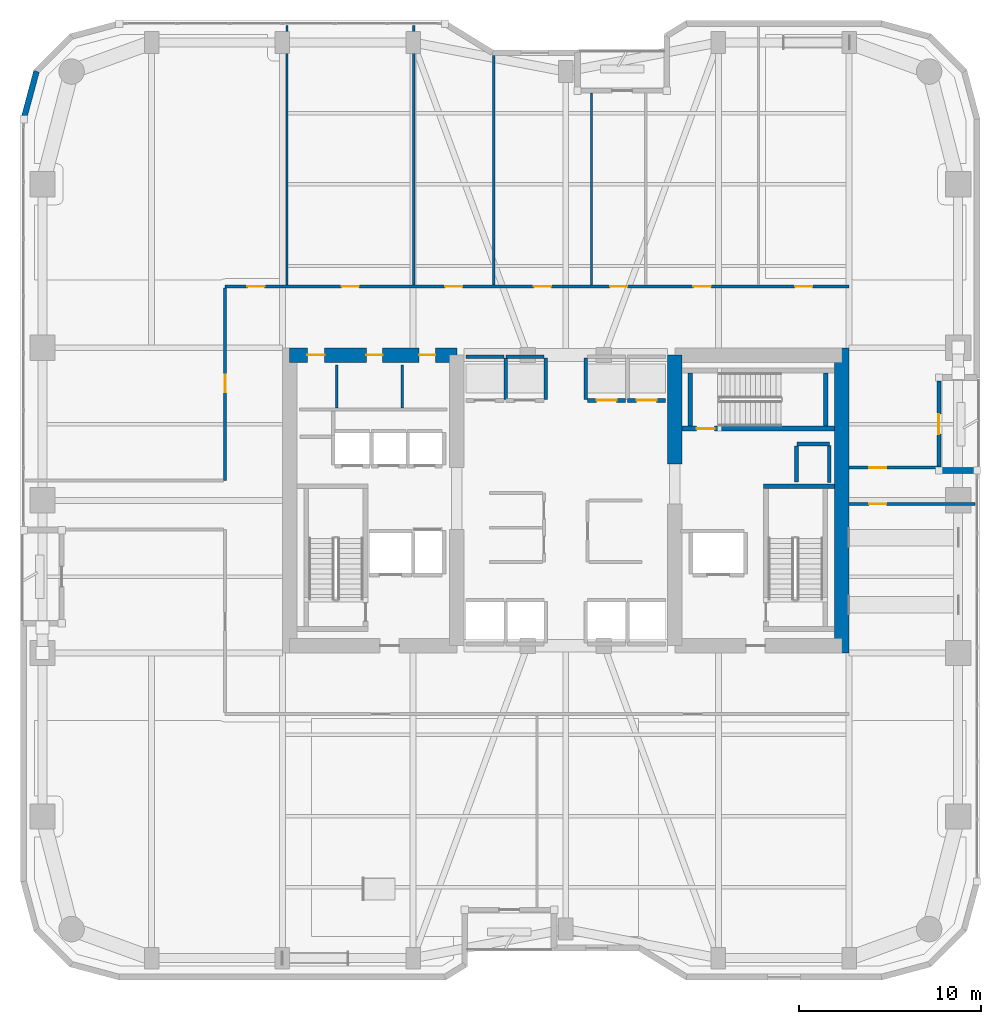
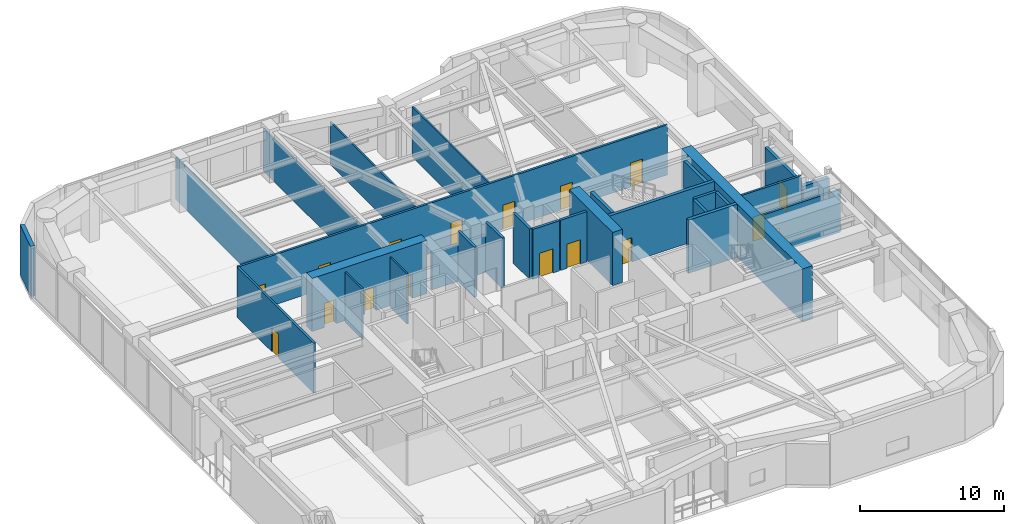
# One storey, part 16 of 23: 30 walls, 17 doors, 17 openings.
"""IFC4 building model written with IfcOpenShell, lengths in metres."""

import ifcopenshell
import ifcopenshell.guid

model = None  # the IFC model being written
_history = None  # IfcOwnerHistory: only IFC2X3 demands one
_inside = {}  # id of a spatial element -> (the spatial element, [elements in it])
_under = {}  # id of a project, library or spatial element -> (it, [spatial elements below it])
_declared = {}  # id of a project -> (the project, [libraries it declares])
_typed = {}  # id of a type object -> (the type object, [elements of that type])
_made_of = {}  # id of a material, layer set ... -> (it, [elements and type objects made of it])


def new_model(schema):
    """Start an empty IFC model of exactly this schema.

    Asked for "IFC4X3", IfcOpenShell would pick the latest addendum, in which some entities
    have other attributes; the version numbers below select the first issue.
    IFC2X3 requires an IfcOwnerHistory on every rooted entity: one is made here for all.
    """
    global model, _history
    if schema == "IFC4X3":
        model = ifcopenshell.file(schema_version=(4, 3, 0, 0))
    else:
        model = ifcopenshell.file(schema=schema)
    _inside.clear()
    _under.clear()
    _declared.clear()
    _typed.clear()
    _made_of.clear()
    _history = None
    if model.schema == "IFC2X3":
        org = make("IfcOrganization", Name="unknown")
        user = make(
            "IfcPersonAndOrganization",
            ThePerson=make("IfcPerson", FamilyName="unknown"),
            TheOrganization=org,
        )
        app = make(
            "IfcApplication",
            ApplicationDeveloper=org,
            Version="unknown",
            ApplicationFullName="unknown",
            ApplicationIdentifier="unknown",
        )
        _history = make(
            "IfcOwnerHistory",
            OwningUser=user,
            OwningApplication=app,
            ChangeAction="ADDED",
            CreationDate=0,
        )
    return model


def make(cls, **values):
    """One entity of the class cls with the attributes given. An attribute that is None is left unset."""
    return model.create_entity(
        cls, **{name: value for name, value in values.items() if value is not None}
    )


def rooted(cls, **values):
    """An entity with a GlobalId (a new one), such as an element, a storey or a relation."""
    return make(cls, GlobalId=ifcopenshell.guid.new(), OwnerHistory=_history, **values)


def si_unit(unit_type, name, prefix=None):
    """IfcSIUnit, for example si_unit("LENGTHUNIT", "METRE", prefix="MILLI")."""
    return make("IfcSIUnit", UnitType=unit_type, Prefix=prefix, Name=name)


def assignment(units):
    """IfcUnitAssignment: the units of a project."""
    return None if units is None else make("IfcUnitAssignment", Units=units)


def point(xyz):
    """IfcCartesianPoint."""
    return None if xyz is None else make("IfcCartesianPoint", Coordinates=xyz)


def direction(xyz):
    """IfcDirection."""
    return None if xyz is None else make("IfcDirection", DirectionRatios=xyz)


def frame(location, z_axis=None, x_axis=None):
    """IfcAxis2Placement3D, a coordinate frame: its origin and axes. An axis left out is left unset."""
    return make(
        "IfcAxis2Placement3D",
        Location=point(location),
        Axis=direction(z_axis),
        RefDirection=direction(x_axis),
    )


def frame_2d(location, x_axis=None):
    """IfcAxis2Placement2D, a coordinate frame in the plane: its origin and x axis."""
    return make(
        "IfcAxis2Placement2D", Location=point(location), RefDirection=direction(x_axis)
    )


def origin():
    """The frame at (0, 0, 0) with its axes left unset."""
    return frame((0.0, 0.0, 0.0))


def place(relative_to, where):
    """IfcLocalPlacement: puts the frame where relative to a parent placement (None: the world)."""
    return make(
        "IfcLocalPlacement", PlacementRelTo=relative_to, RelativePlacement=where
    )


def context(
    kind, dimensions, precision=None, world=None, true_north=None, identifier=None
):
    """IfcGeometricRepresentationContext, for example the 3D "Model" context."""
    return make(
        "IfcGeometricRepresentationContext",
        ContextIdentifier=identifier,
        ContextType=kind,
        CoordinateSpaceDimension=dimensions,
        Precision=precision,
        WorldCoordinateSystem=world,
        TrueNorth=true_north,
    )


def subcontext(parent, identifier, kind, view, scale=None):
    """IfcGeometricRepresentationSubContext, for example "Body" below "Model"."""
    return make(
        "IfcGeometricRepresentationSubContext",
        ContextIdentifier=identifier,
        ContextType=kind,
        ParentContext=parent,
        TargetScale=scale,
        TargetView=view,
    )


def project(units=None, contexts=None):
    """IfcProject with its units and contexts."""
    return rooted(
        "IfcProject",
        Name="project",
        RepresentationContexts=contexts,
        UnitsInContext=assignment(units),
    )


def spatial(cls, under=None, at=None, **own):
    """A site, building, storey or space (cls), placed at a placement, below another one or the project."""
    s = rooted(cls, ObjectPlacement=at, **own)
    if under is not None:
        _under.setdefault(under.id(), (under, []))[1].append(s)
    return s


def profile(cls, at=None, kind="AREA", **sizes):
    """A parametric profile (cls). Its sizes go by their IFC names, for example OverallWidth=200.0."""
    return make(cls, ProfileType=kind, Position=at, **sizes)


def rectangle(**sizes):
    """IfcRectangleProfileDef."""
    return profile("IfcRectangleProfileDef", **sizes)


def extrude(swept, where, along, depth):
    """IfcExtrudedAreaSolid: the profile swept, set in the frame where, extruded along a direction by depth."""
    return make(
        "IfcExtrudedAreaSolid",
        SweptArea=swept,
        Position=where,
        ExtrudedDirection=direction(along),
        Depth=depth,
    )


def shape(context_of_items, identifier, shape_type, items):
    """IfcShapeRepresentation: the items that make up one representation, for example the "Body"."""
    return make(
        "IfcShapeRepresentation",
        ContextOfItems=context_of_items,
        RepresentationIdentifier=identifier,
        RepresentationType=shape_type,
        Items=items,
    )


def material(Name=None, Category=None):
    """IfcMaterial."""
    return make("IfcMaterial", Name=Name, Category=Category)


def layer(
    of_material, thickness, ventilated=None, Name=None, Category=None, Priority=None
):
    """IfcMaterialLayer: one layer of a wall or slab, of a material (None: an air gap)."""
    return make(
        "IfcMaterialLayer",
        Material=of_material,
        LayerThickness=thickness,
        IsVentilated=ventilated,
        Name=Name,
        Category=Category,
        Priority=Priority,
    )


def layer_set(layers, Name=None):
    """IfcMaterialLayerSet."""
    return make("IfcMaterialLayerSet", MaterialLayers=layers, LayerSetName=Name)


def made_of(thing, what):
    """Note that an element or type object is made of a material, layer set ...; save() writes the relation."""
    if what is not None:
        _made_of.setdefault(what.id(), (what, []))[1].append(thing)
    return thing


def type_object(cls, material=None, **own):
    """A type object (cls), such as IfcWallType, which elements share."""
    return made_of(rooted(cls, **own), material)


def element(
    cls,
    number,
    at=None,
    inside=None,
    cuts=None,
    type_object=None,
    material=None,
    context=None,
    identifier="Body",
    shape_type=None,
    held_by="IfcProductDefinitionShape",
    body=None,
    shapes=None,
    **own,
):
    """One element of the class cls, such as IfcWall. Its Tag is "e" and its number.

    at: its placement. inside: the storey or other place that contains it. cuts: it is an
    opening in that element (IfcRelVoidsElement). A single representation is given by context,
    identifier, shape_type and body (its items); several are given by shapes. held_by: the class
    of the entity that holds the representations. save() writes the other relations.
    """
    e = rooted(cls, Tag="e%d" % number, ObjectPlacement=at, **own)
    if body is not None:
        shapes = [shape(context, identifier, shape_type, body)]
    if shapes is not None:
        e.Representation = make(held_by, Representations=shapes)
    if inside is not None:
        _inside.setdefault(inside.id(), (inside, []))[1].append(e)
    if cuts is not None:
        rooted(
            "IfcRelVoidsElement", RelatingBuildingElement=cuts, RelatedOpeningElement=e
        )
    if type_object is not None:
        _typed.setdefault(type_object.id(), (type_object, []))[1].append(e)
    return made_of(e, material)


def fill(opening, filler):
    """IfcRelFillsElement: the door or window that sits in an opening."""
    return rooted(
        "IfcRelFillsElement",
        RelatingOpeningElement=opening,
        RelatedBuildingElement=filler,
    )


def aggregate(whole, parts):
    """IfcRelAggregates: a whole, such as a stair, and the parts it consists of."""
    return rooted("IfcRelAggregates", RelatingObject=whole, RelatedObjects=parts)


def save(model, path):
    """Write the relations noted so far, then the file.

    IfcRelAggregates (storeys below a building ...), IfcRelContainedInSpatialStructure (elements
    in a storey), IfcRelDefinesByType, IfcRelAssociatesMaterial and IfcRelDeclares: one each for
    every whole, place, type object, material and project.
    """
    for whole, parts in _under.values():
        aggregate(whole, parts)
    for where, things in _inside.values():
        rooted(
            "IfcRelContainedInSpatialStructure",
            RelatedElements=things,
            RelatingStructure=where,
        )
    for kind, things in _typed.values():
        rooted("IfcRelDefinesByType", RelatedObjects=things, RelatingType=kind)
    for what, things in _made_of.values():
        rooted("IfcRelAssociatesMaterial", RelatedObjects=things, RelatingMaterial=what)
    for by, libraries in _declared.values():
        rooted("IfcRelDeclares", RelatingContext=by, RelatedDefinitions=libraries)
    model.write(path)


model = new_model("IFC4")

# Units and contexts
model_context = context("Model", 3, precision=1e-05, world=origin(), true_north=direction((0.0, 1.0)))
body_context = subcontext(model_context, "Body", "Model", "MODEL_VIEW")
ifc_project = project(units=[si_unit("LENGTHUNIT", "METRE"), si_unit("AREAUNIT", "SQUARE_METRE"), si_unit("VOLUMEUNIT", "CUBIC_METRE"), si_unit("PLANEANGLEUNIT", "RADIAN"), si_unit("MASSUNIT", "GRAM", prefix="KILO")], contexts=[model_context])

# Site, building, storey
site_placement = place(None, origin())
site = spatial("IfcSite", under=ifc_project, at=site_placement, CompositionType="ELEMENT")
building_placement = place(site_placement, origin())
building = spatial("IfcBuilding", under=site, at=building_placement, Name="Kiyonajd Concourse Tower", CompositionType="ELEMENT")
storey_placement = place(building_placement, frame((0.0, 0.0, 120.89990234375)))
storey = spatial("IfcBuildingStorey", under=building, at=storey_placement, Name="L31", CompositionType="ELEMENT", Elevation=120.89990234375)

# Wall, openings, doors
ifc_material_1 = material(Name="Concrete C70/85", Category="concrete")
ifc_layer_1 = layer(ifc_material_1, 0.800048828125)
ifc_layer_set_1 = layer_set([ifc_layer_1], Name="Concrete C70/85")
wall_type_1 = type_object("IfcWallType", Name="WL-CORE-800", PredefinedType="SHEAR", material=ifc_layer_set_1)
wall_1_placement = place(storey_placement, frame((32.800048828125, 44.0, 0.0), z_axis=(0.0, 0.0, 1.0), x_axis=(1.0, 0.0, 0.0)))
wall_1 = element("IfcWall", 1, at=wall_1_placement, inside=storey, type_object=wall_type_1, Name="L31 West Core North Shear Wall", PredefinedType="SHEAR", context=body_context, shape_type="SweptSolid", body=[
    extrude(rectangle(XDim=9.199951171875, YDim=0.800048828125, at=frame_2d((4.60009765625, 0.0))), origin(), (0.0, 0.0, 1.0), 4.5),
])
opening_1_placement = place(wall_1_placement, frame((0.97509765625, 0.0, 0.0)))
opening_1 = element("IfcOpeningElement", 2, at=opening_1_placement, cuts=wall_1, Name="Opening DI1", PredefinedType="OPENING", context=body_context, shape_type="SweptSolid", body=[
    extrude(rectangle(XDim=0.949951171875, YDim=2.0400390625, at=frame_2d((0.47509765625, 1.02001953125))), frame((0.0, 0.409912109375, 0.0), z_axis=(0.0, -1.0, 0.0), x_axis=(1.0, 0.0, 0.0)), (0.0, 0.0, 1.0), 0.820068359375),
])
opening_2_placement = place(wall_1_placement, frame((4.22509765625, 0.0, 0.0)))
opening_2 = element("IfcOpeningElement", 3, at=opening_2_placement, cuts=wall_1, Name="Opening DI2", PredefinedType="OPENING", context=body_context, shape_type="SweptSolid", body=[
    extrude(rectangle(XDim=0.89990234375, YDim=2.02001953125, at=frame_2d((0.449951171875, 1.010009765625))), frame((0.0, 0.409912109375, 0.0), z_axis=(0.0, -1.0, 0.0), x_axis=(1.0, 0.0, 0.0)), (0.0, 0.0, 1.0), 0.820068359375),
])
opening_3_placement = place(wall_1_placement, frame((7.125, 0.0, 0.0)))
opening_3 = element("IfcOpeningElement", 4, at=opening_3_placement, cuts=wall_1, Name="Opening DI2", PredefinedType="OPENING", context=body_context, shape_type="SweptSolid", body=[
    extrude(rectangle(XDim=0.89990234375, YDim=2.02001953125, at=frame_2d((0.449951171875, 1.010009765625))), frame((0.0, 0.409912109375, 0.0), z_axis=(0.0, -1.0, 0.0), x_axis=(1.0, 0.0, 0.0)), (0.0, 0.0, 1.0), 0.820068359375),
])
ifc_material_2 = material(Name="Natural Oak Acoustic Timber Veneer", Category="wood")
door_type_1 = type_object("IfcDoorType", Name="DR-INT-900", OperationType="NOTDEFINED", PredefinedType="DOOR", material=ifc_material_2)
door_1_placement = place(opening_2_placement, origin())
door_1 = element("IfcDoor", 5, at=door_1_placement, inside=storey, type_object=door_type_1, Name="L31 Male Restroom Door", OperationType="SINGLE_SWING_RIGHT", OverallHeight=2.02001953125, OverallWidth=0.89990234375, PredefinedType="DOOR", context=body_context, shape_type="SweptSolid", body=[
    extrude(rectangle(XDim=0.89990234375, YDim=2.02001953125, at=frame_2d((0.449951171875, 1.010009765625))), frame((0.0, 0.02490234375, 0.0), z_axis=(0.0, -1.0, 0.0), x_axis=(1.0, 0.0, 0.0)), (0.0, 0.0, 1.0), 0.050048828125),
])
fill(opening_2, door_1)
door_2_placement = place(opening_3_placement, origin())
door_2 = element("IfcDoor", 6, at=door_2_placement, inside=storey, type_object=door_type_1, Name="L31 Female Restroom Door", OperationType="SINGLE_SWING_LEFT", OverallHeight=2.02001953125, OverallWidth=0.89990234375, PredefinedType="DOOR", context=body_context, shape_type="SweptSolid", body=[
    extrude(rectangle(XDim=0.89990234375, YDim=2.02001953125, at=frame_2d((0.449951171875, 1.010009765625))), frame((0.0, 0.02490234375, 0.0), z_axis=(0.0, -1.0, 0.0), x_axis=(1.0, 0.0, 0.0)), (0.0, 0.0, 1.0), 0.050048828125),
])
fill(opening_3, door_2)
door_type_2 = type_object("IfcDoorType", Name="DR-INT-950", OperationType="NOTDEFINED", PredefinedType="DOOR", material=ifc_material_2)
door_3_placement = place(opening_1_placement, origin())
door_3 = element("IfcDoor", 7, at=door_3_placement, inside=storey, type_object=door_type_2, Name="L31 Single User Accessible WC Door", OperationType="SINGLE_SWING_LEFT", OverallHeight=2.0400390625, OverallWidth=0.949951171875, PredefinedType="DOOR", context=body_context, shape_type="SweptSolid", body=[
    extrude(rectangle(XDim=0.949951171875, YDim=2.0400390625, at=frame_2d((0.47509765625, 1.02001953125))), frame((0.0, 0.02490234375, 0.0), z_axis=(0.0, -1.0, 0.0), x_axis=(1.0, 0.0, 0.0)), (0.0, 0.0, 1.0), 0.050048828125),
])
fill(opening_1, door_3)

# Walls
wall_2_placement = place(storey_placement, frame((54.0, 38.0, 0.0), z_axis=(0.0, 0.0, 1.0), x_axis=(0.0, 1.0, 0.0)))
element("IfcWall", 8, at=wall_2_placement, inside=storey, type_object=wall_type_1, Name="L31 East Core Inner North Shear Wall", PredefinedType="SHEAR", context=body_context, shape_type="SweptSolid", body=[
    extrude(rectangle(XDim=6.0, YDim=0.800048828125, at=frame_2d((3.0, 0.0))), origin(), (0.0, 0.0, 1.0), 4.5),
])
wall_3_placement = place(storey_placement, frame((63.199951171875, 27.60009765625, 0.0), z_axis=(0.0, 0.0, 1.0), x_axis=(0.0, 1.0, 0.0)))
element("IfcWall", 9, at=wall_3_placement, inside=storey, type_object=wall_type_1, Name="L31 East Core Outer Shear Wall", PredefinedType="SHEAR", context=body_context, shape_type="SweptSolid", body=[
    extrude(rectangle(XDim=16.7998046875, YDim=0.800048828125, at=frame_2d((8.39990234375, 0.0))), origin(), (0.0, 0.0, 1.0), 4.5),
])
ifc_material_3 = material(Name="Precast concrete C50/60", Category="concrete")
ifc_layer_2 = layer(ifc_material_3, 0.320068359375)
ifc_layer_set_2 = layer_set([ifc_layer_2], Name="Precast concrete C50/60")
wall_type_2 = type_object("IfcWallType", Name="WL-EXT-320", PredefinedType="SOLIDWALL", material=ifc_layer_set_2)
wall_4_placement = place(storey_placement, frame((18.159912109375, 56.97900390625, 0.0), z_axis=(0.0, 0.0, 1.0), x_axis=(0.25869736047, 0.965958423373, 0.0)))
element("IfcWall", 10, at=wall_4_placement, inside=storey, type_object=wall_type_2, Name="L31 Exterior Concrete Frame Wall 06", PredefinedType="SOLIDWALL", context=body_context, shape_type="SweptSolid", body=[
    extrude(rectangle(XDim=2.731201171875, YDim=0.320068359375, at=frame_2d((1.36572265625, 0.0))), origin(), (0.0, 0.0, 1.0), 4.239990234375),
])
wall_5_placement = place(storey_placement, frame((68.5400390625, 37.639892578125, 0.0), z_axis=(0.0, 0.0, 1.0), x_axis=(1.0, 0.0, 0.0)))
element("IfcWall", 11, at=wall_5_placement, inside=storey, type_object=wall_type_2, Name="L31 Exterior Concrete Frame Wall 23", PredefinedType="SOLIDWALL", context=body_context, shape_type="SweptSolid", body=[
    extrude(rectangle(XDim=2.099853515625, YDim=0.320068359375, at=frame_2d((1.0498046875, 0.0))), origin(), (0.0, 0.0, 1.0), 3.47509765625),
])

# Wall, opening, door
ifc_layer_3 = layer(ifc_material_3, 0.239990234375)
ifc_layer_set_3 = layer_set([ifc_layer_3], Name="Precast concrete C50/60")
wall_type_3 = type_object("IfcWallType", Name="WL-LOG-240", PredefinedType="SOLIDWALL", material=ifc_layer_set_3)
wall_6_placement = place(storey_placement, frame((68.5400390625, 42.56494140625, 0.0), z_axis=(0.0, 0.0, 1.0), x_axis=(0.0, -1.0, 0.0)))
wall_6 = element("IfcWall", 12, at=wall_6_placement, inside=storey, type_object=wall_type_3, Name="L31 Recessed Loggia Thermal Wall LOG-E", PredefinedType="SOLIDWALL", context=body_context, shape_type="SweptSolid", body=[
    extrude(rectangle(XDim=4.72998046875, YDim=0.239990234375, at=frame_2d((2.364990234375, 0.0))), origin(), (0.0, 0.0, 1.0), 3.76220703125),
])
opening_4_placement = place(wall_6_placement, frame((1.81494140625, 0.0, 0.0)))
opening_4 = element("IfcOpeningElement", 13, at=opening_4_placement, cuts=wall_6, Name="Opening DL2", PredefinedType="OPENING", context=body_context, shape_type="SweptSolid", body=[
    extrude(rectangle(XDim=1.10009765625, YDim=2.0400390625, at=frame_2d((0.550048828125, 1.02001953125))), frame((0.0, 0.1298828125, 0.0), z_axis=(0.0, -1.0, 0.0), x_axis=(1.0, 0.0, 0.0)), (0.0, 0.0, 1.0), 0.260009765625),
])
ifc_material_4 = material(Name="Thermally Broken Anodised Aluminium", Category="aluminium")
door_type_3 = type_object("IfcDoorType", Name="DR-LOG-1100", OperationType="NOTDEFINED", PredefinedType="DOOR", material=ifc_material_4)
door_4_placement = place(opening_4_placement, origin())
door_4 = element("IfcDoor", 14, at=door_4_placement, inside=storey, type_object=door_type_3, Name="L31 Engawa Loggia Access Door LOG-E", OperationType="SINGLE_SWING_LEFT", OverallHeight=2.0400390625, OverallWidth=1.10009765625, PredefinedType="DOOR", context=body_context, shape_type="SweptSolid", body=[
    extrude(rectangle(XDim=1.10009765625, YDim=2.0400390625, at=frame_2d((0.550048828125, 1.02001953125))), frame((0.0, 0.02490234375, 0.0), z_axis=(0.0, -1.0, 0.0), x_axis=(1.0, 0.0, 0.0)), (0.0, 0.0, 1.0), 0.050048828125),
])
fill(opening_4, door_4)

# Walls
ifc_material_5 = material(Name="Gypsum Board on Cold-Formed Steel Stud", Category="steel")
ifc_layer_4 = layer(ifc_material_5, 0.125)
ifc_layer_set_4 = layer_set([ifc_layer_4], Name="Gypsum Board on Cold-Formed Steel Stud")
wall_type_4 = type_object("IfcWallType", Name="WL-PART-125", PredefinedType="PARTITIONING", material=ifc_layer_set_4)
for number, where, z_axis, x_axis, name in (
    (15, (35.39990234375, 41.094970703125, 0.0), (0.0, 0.0, 1.0), (0.0, 1.0, 0.0), "L31 Interior Partition Wall"),
    (16, (39.0, 41.094970703125, 0.0), (0.0, 0.0, 1.0), (0.0, 1.0, 0.0), "L31 Interior Partition Wall"),
):
    element("IfcWall", number, at=place(storey_placement, frame(where, z_axis=z_axis, x_axis=x_axis)), inside=storey, type_object=wall_type_4, Name=name, PredefinedType="PARTITIONING", context=body_context, shape_type="SweptSolid", body=[
        extrude(rectangle(XDim=2.35498046875, YDim=0.125, at=frame_2d((1.177490234375, 0.0))), origin(), (0.0, 0.0, 1.0), 4.239990234375),
    ])
for number, where, z_axis, x_axis, name in (
    (17, (32.64990234375, 47.85693359375, 0.0), (0.0, 0.0, 1.0), (0.0, 1.0, 0.0), "L31 Interior Partition Wall"),
    (18, (39.6298828125, 47.85693359375, 0.0), (0.0, 0.0, 1.0), (0.0, 1.0, 0.0), "L31 Interior Partition Wall"),
):
    element("IfcWall", number, at=place(storey_placement, frame(where, z_axis=z_axis, x_axis=x_axis)), inside=storey, type_object=wall_type_4, Name=name, PredefinedType="PARTITIONING", context=body_context, shape_type="SweptSolid", body=[
        extrude(rectangle(XDim=14.278076171875, YDim=0.125, at=frame_2d((7.13916015625, 0.0))), origin(), (0.0, 0.0, 1.0), 3.60302734375),
    ])
wall_7_placement = place(storey_placement, frame((44.030029296875, 47.85693359375, 0.0), z_axis=(0.0, 0.0, 1.0), x_axis=(0.0, 1.0, 0.0)))
element("IfcWall", 19, at=wall_7_placement, inside=storey, type_object=wall_type_4, Name="L31 Interior Partition Wall", PredefinedType="PARTITIONING", context=body_context, shape_type="SweptSolid", body=[
    extrude(rectangle(XDim=12.628173828125, YDim=0.125, at=frame_2d((6.31396484375, 0.0))), origin(), (0.0, 0.0, 1.0), 3.60302734375),
])
wall_8_placement = place(storey_placement, frame((49.419921875, 47.85693359375, 0.0), z_axis=(0.0, 0.0, 1.0), x_axis=(0.0, 1.0, 0.0)))
element("IfcWall", 20, at=wall_8_placement, inside=storey, type_object=wall_type_4, Name="L31 Interior Partition Wall", PredefinedType="PARTITIONING", context=body_context, shape_type="SweptSolid", body=[
    extrude(rectangle(XDim=10.568115234375, YDim=0.125, at=frame_2d((5.2841796875, 0.0))), origin(), (0.0, 0.0, 1.0), 4.239990234375),
])
ifc_layer_5 = layer(ifc_material_5, 0.2099609375)
ifc_layer_set_5 = layer_set([ifc_layer_5], Name="Gypsum Board on Cold-Formed Steel Stud")
wall_type_5 = type_object("IfcWallType", Name="WL-SHAFT-210", PredefinedType="PARTITIONING", material=ifc_layer_set_5)
wall_9_placement = place(storey_placement, frame((60.719970703125, 39.10009765625, 0.0), z_axis=(0.0, 0.0, 1.0), x_axis=(1.0, 0.0, 0.0)))
element("IfcWall", 21, at=wall_9_placement, inside=storey, type_object=wall_type_5, Name="L31 Shaft Enclosure Wall", PredefinedType="PARTITIONING", context=body_context, shape_type="SweptSolid", body=[
    extrude(rectangle(XDim=1.800048828125, YDim=0.2099609375, at=frame_2d((0.89990234375, 0.0))), origin(), (0.0, 0.0, 1.0), 4.239990234375),
])
wall_10_placement = place(storey_placement, frame((60.699951171875, 37.02001953125, 0.0), z_axis=(0.0, 0.0, 1.0), x_axis=(0.0, 1.0, 0.0)))
element("IfcWall", 22, at=wall_10_placement, inside=storey, type_object=wall_type_5, Name="L31 Shaft Enclosure Wall", PredefinedType="PARTITIONING", context=body_context, shape_type="SweptSolid", body=[
    extrude(rectangle(XDim=1.9599609375, YDim=0.2099609375, at=frame_2d((0.97998046875, 0.0))), origin(), (0.0, 0.0, 1.0), 4.239990234375),
])
wall_11_placement = place(storey_placement, frame((62.5, 36.97998046875, 0.0), z_axis=(0.0, 0.0, 1.0), x_axis=(0.0, 1.0, 0.0)))
element("IfcWall", 23, at=wall_11_placement, inside=storey, type_object=wall_type_5, Name="L31 Shaft Enclosure Wall", PredefinedType="PARTITIONING", context=body_context, shape_type="SweptSolid", body=[
    extrude(rectangle(XDim=2.0400390625, YDim=0.2099609375, at=frame_2d((1.02001953125, 0.0))), origin(), (0.0, 0.0, 1.0), 4.239990234375),
])
wall_12_placement = place(storey_placement, frame((42.5, 43.89990234375, 0.0), z_axis=(0.0, 0.0, 1.0), x_axis=(1.0, 0.0, 0.0)))
element("IfcWall", 24, at=wall_12_placement, inside=storey, type_object=wall_type_5, Name="L31 Shaft Enclosure Wall", PredefinedType="PARTITIONING", context=body_context, shape_type="SweptSolid", body=[
    extrude(rectangle(XDim=2.10009765625, YDim=0.2099609375, at=frame_2d((1.050048828125, 0.0))), origin(), (0.0, 0.0, 1.0), 3.125),
])
wall_13_placement = place(storey_placement, frame((44.699951171875, 41.56005859375, 0.0), z_axis=(0.0, 0.0, 1.0), x_axis=(0.0, 1.0, 0.0)))
element("IfcWall", 25, at=wall_13_placement, inside=storey, type_object=wall_type_5, Name="L31 Shaft Enclosure Wall", PredefinedType="PARTITIONING", context=body_context, shape_type="SweptSolid", body=[
    extrude(rectangle(XDim=2.280029296875, YDim=0.2099609375, at=frame_2d((1.14013671875, 0.0))), origin(), (0.0, 0.0, 1.0), 4.239990234375),
])
wall_14_placement = place(storey_placement, frame((44.699951171875, 43.89990234375, 0.0), z_axis=(0.0, 0.0, 1.0), x_axis=(1.0, 0.0, 0.0)))
element("IfcWall", 26, at=wall_14_placement, inside=storey, type_object=wall_type_5, Name="L31 Shaft Enclosure Wall", PredefinedType="PARTITIONING", context=body_context, shape_type="SweptSolid", body=[
    extrude(rectangle(XDim=2.10009765625, YDim=0.2099609375, at=frame_2d((1.050048828125, 0.0))), origin(), (0.0, 0.0, 1.0), 3.125),
])
wall_15_placement = place(storey_placement, frame((46.89990234375, 41.56005859375, 0.0), z_axis=(0.0, 0.0, 1.0), x_axis=(0.0, 1.0, 0.0)))
element("IfcWall", 27, at=wall_15_placement, inside=storey, type_object=wall_type_5, Name="L31 Shaft Enclosure Wall", PredefinedType="PARTITIONING", context=body_context, shape_type="SweptSolid", body=[
    extrude(rectangle(XDim=2.280029296875, YDim=0.2099609375, at=frame_2d((1.14013671875, 0.0))), origin(), (0.0, 0.0, 1.0), 4.239990234375),
])

# Wall, opening, door
wall_16_placement = place(storey_placement, frame((49.199951171875, 41.5, 0.0), z_axis=(0.0, 0.0, 1.0), x_axis=(1.0, 0.0, 0.0)))
wall_16 = element("IfcWall", 28, at=wall_16_placement, inside=storey, type_object=wall_type_5, Name="L31 Shaft Enclosure Wall", PredefinedType="PARTITIONING", context=body_context, shape_type="SweptSolid", body=[
    extrude(rectangle(XDim=2.10009765625, YDim=0.2099609375, at=frame_2d((1.050048828125, 0.0))), origin(), (0.0, 0.0, 1.0), 4.239990234375),
])
opening_5_placement = place(wall_16_placement, frame((0.5, 0.0, 0.0)))
opening_5 = element("IfcOpeningElement", 29, at=opening_5_placement, cuts=wall_16, Name="Opening LD1", PredefinedType="OPENING", context=body_context, shape_type="SweptSolid", body=[
    extrude(rectangle(XDim=1.10009765625, YDim=2.0400390625, at=frame_2d((0.550048828125, 1.02001953125))), frame((0.0, 0.114990234375, 0.0), z_axis=(0.0, -1.0, 0.0), x_axis=(1.0, 0.0, 0.0)), (0.0, 0.0, 1.0), 0.22998046875),
])
ifc_material_6 = material(Name="Brushed Stainless Steel Cab Assembly", Category="steel")
door_type_4 = type_object("IfcDoorType", Name="DR-LD-1100", OperationType="DOUBLE_DOOR_SLIDING", PredefinedType="DOOR", material=ifc_material_6)
door_5_placement = place(opening_5_placement, origin())
door_5 = element("IfcDoor", 30, at=door_5_placement, inside=storey, type_object=door_type_4, Name="L31 Lift PL-M3 Sliding Landing Door", OperationType="DOUBLE_DOOR_SLIDING", OverallHeight=2.0400390625, OverallWidth=1.10009765625, PredefinedType="DOOR", context=body_context, shape_type="SweptSolid", body=[
    extrude(rectangle(XDim=1.10009765625, YDim=2.0400390625, at=frame_2d((0.550048828125, 1.02001953125))), frame((0.0, 0.02490234375, 0.0), z_axis=(0.0, -1.0, 0.0), x_axis=(1.0, 0.0, 0.0)), (0.0, 0.0, 1.0), 0.050048828125),
])
fill(opening_5, door_5)

# Wall
wall_17_placement = place(storey_placement, frame((49.10009765625, 41.56005859375, 0.0), z_axis=(0.0, 0.0, 1.0), x_axis=(0.0, 1.0, 0.0)))
element("IfcWall", 31, at=wall_17_placement, inside=storey, type_object=wall_type_5, Name="L31 Shaft Enclosure Wall", PredefinedType="PARTITIONING", context=body_context, shape_type="SweptSolid", body=[
    extrude(rectangle(XDim=2.280029296875, YDim=0.2099609375, at=frame_2d((1.14013671875, 0.0))), origin(), (0.0, 0.0, 1.0), 4.239990234375),
])

# Wall, opening, door
wall_18_placement = place(storey_placement, frame((51.39990234375, 41.5, 0.0), z_axis=(0.0, 0.0, 1.0), x_axis=(1.0, 0.0, 0.0)))
wall_18 = element("IfcWall", 32, at=wall_18_placement, inside=storey, type_object=wall_type_5, Name="L31 Shaft Enclosure Wall", PredefinedType="PARTITIONING", context=body_context, shape_type="SweptSolid", body=[
    extrude(rectangle(XDim=2.10009765625, YDim=0.2099609375, at=frame_2d((1.050048828125, 0.0))), origin(), (0.0, 0.0, 1.0), 4.239990234375),
])
opening_6_placement = place(wall_18_placement, frame((0.5, 0.0, 0.0)))
opening_6 = element("IfcOpeningElement", 33, at=opening_6_placement, cuts=wall_18, Name="Opening LD1", PredefinedType="OPENING", context=body_context, shape_type="SweptSolid", body=[
    extrude(rectangle(XDim=1.10009765625, YDim=2.0400390625, at=frame_2d((0.550048828125, 1.02001953125))), frame((0.0, 0.114990234375, 0.0), z_axis=(0.0, -1.0, 0.0), x_axis=(1.0, 0.0, 0.0)), (0.0, 0.0, 1.0), 0.22998046875),
])
door_6_placement = place(opening_6_placement, origin())
door_6 = element("IfcDoor", 34, at=door_6_placement, inside=storey, type_object=door_type_4, Name="L31 Lift PL-M4 Sliding Landing Door", OperationType="DOUBLE_DOOR_SLIDING", OverallHeight=2.0400390625, OverallWidth=1.10009765625, PredefinedType="DOOR", context=body_context, shape_type="SweptSolid", body=[
    extrude(rectangle(XDim=1.10009765625, YDim=2.0400390625, at=frame_2d((0.550048828125, 1.02001953125))), frame((0.0, 0.02490234375, 0.0), z_axis=(0.0, -1.0, 0.0), x_axis=(1.0, 0.0, 0.0)), (0.0, 0.0, 1.0), 0.050048828125),
])
fill(opening_6, door_6)

# Wall, openings, doors
ifc_layer_6 = layer(ifc_material_5, 0.169921875)
ifc_layer_set_6 = layer_set([ifc_layer_6], Name="Gypsum Board on Cold-Formed Steel Stud")
wall_type_6 = type_object("IfcWallType", Name="WL-SMK-170", PredefinedType="PARTITIONING", material=ifc_layer_set_6)
wall_19_placement = place(storey_placement, frame((29.25, 47.77001953125, 0.0), z_axis=(0.0, 0.0, 1.0), x_axis=(1.0, 0.0, 0.0)))
wall_19 = element("IfcWall", 35, at=wall_19_placement, inside=storey, type_object=wall_type_6, Name="L31 Interior Partition Wall", PredefinedType="PARTITIONING", context=body_context, shape_type="SweptSolid", body=[
    extrude(rectangle(XDim=34.35009765625, YDim=0.169921875, at=frame_2d((17.175048828125, 0.0))), origin(), (0.0, 0.0, 1.0), 4.239990234375),
])
opening_7_placement = place(wall_19_placement, frame((1.22509765625, 0.0, 0.0)))
opening_7 = element("IfcOpeningElement", 36, at=opening_7_placement, cuts=wall_19, Name="Opening DI1", PredefinedType="OPENING", context=body_context, shape_type="SweptSolid", body=[
    extrude(rectangle(XDim=0.949951171875, YDim=2.0400390625, at=frame_2d((0.47509765625, 1.02001953125))), frame((0.0, 0.094970703125, 0.0), z_axis=(0.0, -1.0, 0.0), x_axis=(1.0, 0.0, 0.0)), (0.0, 0.0, 1.0), 0.18994140625),
])
opening_8_placement = place(wall_19_placement, frame((6.4150390625, 0.0, 0.0)))
opening_8 = element("IfcOpeningElement", 37, at=opening_8_placement, cuts=wall_19, Name="Opening DI1", PredefinedType="OPENING", context=body_context, shape_type="SweptSolid", body=[
    extrude(rectangle(XDim=0.949951171875, YDim=2.0400390625, at=frame_2d((0.47509765625, 1.02001953125))), frame((0.0, 0.094970703125, 0.0), z_axis=(0.0, -1.0, 0.0), x_axis=(1.0, 0.0, 0.0)), (0.0, 0.0, 1.0), 0.18994140625),
])
opening_9_placement = place(wall_19_placement, frame((12.10498046875, 0.0, 0.0)))
opening_9 = element("IfcOpeningElement", 38, at=opening_9_placement, cuts=wall_19, Name="Opening DI1", PredefinedType="OPENING", context=body_context, shape_type="SweptSolid", body=[
    extrude(rectangle(XDim=0.949951171875, YDim=2.0400390625, at=frame_2d((0.47509765625, 1.02001953125))), frame((0.0, 0.094970703125, 0.0), z_axis=(0.0, -1.0, 0.0), x_axis=(1.0, 0.0, 0.0)), (0.0, 0.0, 1.0), 0.18994140625),
])
opening_10_placement = place(wall_19_placement, frame((17.0, 0.0, 0.0)))
opening_10 = element("IfcOpeningElement", 39, at=opening_10_placement, cuts=wall_19, Name="Opening DI1", PredefinedType="OPENING", context=body_context, shape_type="SweptSolid", body=[
    extrude(rectangle(XDim=0.949951171875, YDim=2.0400390625, at=frame_2d((0.47509765625, 1.02001953125))), frame((0.0, 0.094970703125, 0.0), z_axis=(0.0, -1.0, 0.0), x_axis=(1.0, 0.0, 0.0)), (0.0, 0.0, 1.0), 0.18994140625),
])
opening_11_placement = place(wall_19_placement, frame((21.18505859375, 0.0, 0.0)))
opening_11 = element("IfcOpeningElement", 40, at=opening_11_placement, cuts=wall_19, Name="Opening DI1", PredefinedType="OPENING", context=body_context, shape_type="SweptSolid", body=[
    extrude(rectangle(XDim=0.949951171875, YDim=2.0400390625, at=frame_2d((0.47509765625, 1.02001953125))), frame((0.0, 0.094970703125, 0.0), z_axis=(0.0, -1.0, 0.0), x_axis=(1.0, 0.0, 0.0)), (0.0, 0.0, 1.0), 0.18994140625),
])
opening_12_placement = place(wall_19_placement, frame((25.780029296875, 0.0, 0.0)))
opening_12 = element("IfcOpeningElement", 41, at=opening_12_placement, cuts=wall_19, Name="Opening DI1", PredefinedType="OPENING", context=body_context, shape_type="SweptSolid", body=[
    extrude(rectangle(XDim=0.949951171875, YDim=2.0400390625, at=frame_2d((0.47509765625, 1.02001953125))), frame((0.0, 0.094970703125, 0.0), z_axis=(0.0, -1.0, 0.0), x_axis=(1.0, 0.0, 0.0)), (0.0, 0.0, 1.0), 0.18994140625),
])
opening_13_placement = place(wall_19_placement, frame((31.3798828125, 0.0, 0.0)))
opening_13 = element("IfcOpeningElement", 42, at=opening_13_placement, cuts=wall_19, Name="Opening DI1", PredefinedType="OPENING", context=body_context, shape_type="SweptSolid", body=[
    extrude(rectangle(XDim=0.949951171875, YDim=2.0400390625, at=frame_2d((0.47509765625, 1.02001953125))), frame((0.0, 0.094970703125, 0.0), z_axis=(0.0, -1.0, 0.0), x_axis=(1.0, 0.0, 0.0)), (0.0, 0.0, 1.0), 0.18994140625),
])
door_7_placement = place(opening_7_placement, origin())
door_7 = element("IfcDoor", 43, at=door_7_placement, inside=storey, type_object=door_type_2, Name="L31 Interior Door", OperationType="SINGLE_SWING_RIGHT", OverallHeight=2.0400390625, OverallWidth=0.949951171875, PredefinedType="DOOR", context=body_context, shape_type="SweptSolid", body=[
    extrude(rectangle(XDim=0.949951171875, YDim=2.0400390625, at=frame_2d((0.47509765625, 1.02001953125))), frame((0.0, 0.02490234375, 0.0), z_axis=(0.0, -1.0, 0.0), x_axis=(1.0, 0.0, 0.0)), (0.0, 0.0, 1.0), 0.050048828125),
])
fill(opening_7, door_7)
door_8_placement = place(opening_8_placement, origin())
door_8 = element("IfcDoor", 44, at=door_8_placement, inside=storey, type_object=door_type_2, Name="L31 Interior Door", OperationType="SINGLE_SWING_LEFT", OverallHeight=2.0400390625, OverallWidth=0.949951171875, PredefinedType="DOOR", context=body_context, shape_type="SweptSolid", body=[
    extrude(rectangle(XDim=0.949951171875, YDim=2.0400390625, at=frame_2d((0.47509765625, 1.02001953125))), frame((0.0, 0.02490234375, 0.0), z_axis=(0.0, -1.0, 0.0), x_axis=(1.0, 0.0, 0.0)), (0.0, 0.0, 1.0), 0.050048828125),
])
fill(opening_8, door_8)
door_9_placement = place(opening_9_placement, origin())
door_9 = element("IfcDoor", 45, at=door_9_placement, inside=storey, type_object=door_type_2, Name="L31 Interior Door", OperationType="SINGLE_SWING_RIGHT", OverallHeight=2.0400390625, OverallWidth=0.949951171875, PredefinedType="DOOR", context=body_context, shape_type="SweptSolid", body=[
    extrude(rectangle(XDim=0.949951171875, YDim=2.0400390625, at=frame_2d((0.47509765625, 1.02001953125))), frame((0.0, 0.02490234375, 0.0), z_axis=(0.0, -1.0, 0.0), x_axis=(1.0, 0.0, 0.0)), (0.0, 0.0, 1.0), 0.050048828125),
])
fill(opening_9, door_9)
door_10_placement = place(opening_10_placement, origin())
door_10 = element("IfcDoor", 46, at=door_10_placement, inside=storey, type_object=door_type_2, Name="L31 Interior Door", OperationType="SINGLE_SWING_LEFT", OverallHeight=2.0400390625, OverallWidth=0.949951171875, PredefinedType="DOOR", context=body_context, shape_type="SweptSolid", body=[
    extrude(rectangle(XDim=0.949951171875, YDim=2.0400390625, at=frame_2d((0.47509765625, 1.02001953125))), frame((0.0, 0.02490234375, 0.0), z_axis=(0.0, -1.0, 0.0), x_axis=(1.0, 0.0, 0.0)), (0.0, 0.0, 1.0), 0.050048828125),
])
fill(opening_10, door_10)
door_11_placement = place(opening_11_placement, origin())
door_11 = element("IfcDoor", 47, at=door_11_placement, inside=storey, type_object=door_type_2, Name="L31 Interior Door", OperationType="SINGLE_SWING_RIGHT", OverallHeight=2.0400390625, OverallWidth=0.949951171875, PredefinedType="DOOR", context=body_context, shape_type="SweptSolid", body=[
    extrude(rectangle(XDim=0.949951171875, YDim=2.0400390625, at=frame_2d((0.47509765625, 1.02001953125))), frame((0.0, 0.02490234375, 0.0), z_axis=(0.0, -1.0, 0.0), x_axis=(1.0, 0.0, 0.0)), (0.0, 0.0, 1.0), 0.050048828125),
])
fill(opening_11, door_11)
door_12_placement = place(opening_12_placement, origin())
door_12 = element("IfcDoor", 48, at=door_12_placement, inside=storey, type_object=door_type_2, Name="L31 Interior Door", OperationType="SINGLE_SWING_LEFT", OverallHeight=2.0400390625, OverallWidth=0.949951171875, PredefinedType="DOOR", context=body_context, shape_type="SweptSolid", body=[
    extrude(rectangle(XDim=0.949951171875, YDim=2.0400390625, at=frame_2d((0.47509765625, 1.02001953125))), frame((0.0, 0.02490234375, 0.0), z_axis=(0.0, -1.0, 0.0), x_axis=(1.0, 0.0, 0.0)), (0.0, 0.0, 1.0), 0.050048828125),
])
fill(opening_12, door_12)
door_13_placement = place(opening_13_placement, origin())
door_13 = element("IfcDoor", 49, at=door_13_placement, inside=storey, type_object=door_type_2, Name="L31 Interior Door", OperationType="SINGLE_SWING_RIGHT", OverallHeight=2.0400390625, OverallWidth=0.949951171875, PredefinedType="DOOR", context=body_context, shape_type="SweptSolid", body=[
    extrude(rectangle(XDim=0.949951171875, YDim=2.0400390625, at=frame_2d((0.47509765625, 1.02001953125))), frame((0.0, 0.02490234375, 0.0), z_axis=(0.0, -1.0, 0.0), x_axis=(1.0, 0.0, 0.0)), (0.0, 0.0, 1.0), 0.050048828125),
])
fill(opening_13, door_13)

# Wall, opening, door
wall_20_placement = place(storey_placement, frame((29.25, 37.10009765625, 0.0), z_axis=(0.0, 0.0, 1.0), x_axis=(0.0, 1.0, 0.0)))
wall_20 = element("IfcWall", 50, at=wall_20_placement, inside=storey, type_object=wall_type_6, Name="L31 Interior Partition Wall", PredefinedType="PARTITIONING", context=body_context, shape_type="SweptSolid", body=[
    extrude(rectangle(XDim=10.5830078125, YDim=0.169921875, at=frame_2d((5.29150390625, 0.0))), origin(), (0.0, 0.0, 1.0), 4.239990234375),
])
opening_14_placement = place(wall_20_placement, frame((4.860107421875, 0.0, 0.0)))
opening_14 = element("IfcOpeningElement", 51, at=opening_14_placement, cuts=wall_20, Name="Opening DI1", PredefinedType="OPENING", context=body_context, shape_type="SweptSolid", body=[
    extrude(rectangle(XDim=0.949951171875, YDim=2.0400390625, at=frame_2d((0.47509765625, 1.02001953125))), frame((0.0, 0.094970703125, 0.0), z_axis=(0.0, -1.0, 0.0), x_axis=(1.0, 0.0, 0.0)), (0.0, 0.0, 1.0), 0.18994140625),
])
door_14_placement = place(opening_14_placement, origin())
door_14 = element("IfcDoor", 52, at=door_14_placement, inside=storey, type_object=door_type_2, Name="L31 Interior Door", OperationType="SINGLE_SWING_RIGHT", OverallHeight=2.0400390625, OverallWidth=0.949951171875, PredefinedType="DOOR", context=body_context, shape_type="SweptSolid", body=[
    extrude(rectangle(XDim=0.949951171875, YDim=2.0400390625, at=frame_2d((0.47509765625, 1.02001953125))), frame((0.0, 0.02490234375, 0.0), z_axis=(0.0, -1.0, 0.0), x_axis=(1.0, 0.0, 0.0)), (0.0, 0.0, 1.0), 0.050048828125),
])
fill(opening_14, door_14)

wall_21_placement = place(storey_placement, frame((63.60009765625, 35.800048828125, 0.0), z_axis=(0.0, 0.0, 1.0), x_axis=(1.0, 0.0, 0.0)))
wall_21 = element("IfcWall", 53, at=wall_21_placement, inside=storey, type_object=wall_type_6, Name="L31 Interior Partition Wall", PredefinedType="PARTITIONING", context=body_context, shape_type="SweptSolid", body=[
    extrude(rectangle(XDim=6.934814453125, YDim=0.169921875, at=frame_2d((3.46728515625, 0.0))), origin(), (0.0, 0.0, 1.0), 3.60302734375),
])
opening_15_placement = place(wall_21_placement, frame((1.10009765625, 0.0, 0.0)))
opening_15 = element("IfcOpeningElement", 54, at=opening_15_placement, cuts=wall_21, Name="Opening DI1", PredefinedType="OPENING", context=body_context, shape_type="SweptSolid", body=[
    extrude(rectangle(XDim=0.949951171875, YDim=2.0400390625, at=frame_2d((0.47509765625, 1.02001953125))), frame((0.0, 0.094970703125, 0.0), z_axis=(0.0, -1.0, 0.0), x_axis=(1.0, 0.0, 0.0)), (0.0, 0.0, 1.0), 0.18994140625),
])
door_15_placement = place(opening_15_placement, origin())
door_15 = element("IfcDoor", 55, at=door_15_placement, inside=storey, type_object=door_type_2, Name="L31 Interior Door", OperationType="SINGLE_SWING_LEFT", OverallHeight=2.0400390625, OverallWidth=0.949951171875, PredefinedType="DOOR", context=body_context, shape_type="SweptSolid", body=[
    extrude(rectangle(XDim=0.949951171875, YDim=2.0400390625, at=frame_2d((0.47509765625, 1.02001953125))), frame((0.0, 0.02490234375, 0.0), z_axis=(0.0, -1.0, 0.0), x_axis=(1.0, 0.0, 0.0)), (0.0, 0.0, 1.0), 0.050048828125),
])
fill(opening_15, door_15)

wall_22_placement = place(storey_placement, frame((63.60009765625, 37.800048828125, 0.0), z_axis=(0.0, 0.0, 1.0), x_axis=(1.0, 0.0, 0.0)))
wall_22 = element("IfcWall", 56, at=wall_22_placement, inside=storey, type_object=wall_type_6, Name="L31 Interior Partition Wall", PredefinedType="PARTITIONING", context=body_context, shape_type="SweptSolid", body=[
    extrude(rectangle(XDim=4.93994140625, YDim=0.169921875, at=frame_2d((2.469970703125, 0.0))), origin(), (0.0, 0.0, 1.0), 4.239990234375),
])
opening_16_placement = place(wall_22_placement, frame((1.10009765625, 0.0, 0.0)))
opening_16 = element("IfcOpeningElement", 57, at=opening_16_placement, cuts=wall_22, Name="Opening DI1", PredefinedType="OPENING", context=body_context, shape_type="SweptSolid", body=[
    extrude(rectangle(XDim=0.949951171875, YDim=2.0400390625, at=frame_2d((0.47509765625, 1.02001953125))), frame((0.0, 0.094970703125, 0.0), z_axis=(0.0, -1.0, 0.0), x_axis=(1.0, 0.0, 0.0)), (0.0, 0.0, 1.0), 0.18994140625),
])
door_16_placement = place(opening_16_placement, origin())
door_16 = element("IfcDoor", 58, at=door_16_placement, inside=storey, type_object=door_type_2, Name="L31 Interior Door", OperationType="SINGLE_SWING_RIGHT", OverallHeight=2.0400390625, OverallWidth=0.949951171875, PredefinedType="DOOR", context=body_context, shape_type="SweptSolid", body=[
    extrude(rectangle(XDim=0.949951171875, YDim=2.0400390625, at=frame_2d((0.47509765625, 1.02001953125))), frame((0.0, 0.02490234375, 0.0), z_axis=(0.0, -1.0, 0.0), x_axis=(1.0, 0.0, 0.0)), (0.0, 0.0, 1.0), 0.050048828125),
])
fill(opening_16, door_16)

# Wall
ifc_material_7 = material(Name="Concrete C50/60", Category="concrete")
ifc_layer_7 = layer(ifc_material_7, 0.260009765625)
ifc_layer_set_7 = layer_set([ifc_layer_7], Name="Concrete C50/60")
wall_type_7 = type_object("IfcWallType", Name="WL-STAIR-260", PredefinedType="SHEAR", material=ifc_layer_set_7)
wall_23_placement = place(storey_placement, frame((58.889892578125, 36.780029296875, 0.0), z_axis=(0.0, 0.0, 1.0), x_axis=(1.0, 0.0, 0.0)))
element("IfcWall", 59, at=wall_23_placement, inside=storey, type_object=wall_type_7, Name="L31 Stair ST2 Structural North Wall", PredefinedType="SHEAR", context=body_context, shape_type="SweptSolid", body=[
    extrude(rectangle(XDim=3.91015625, YDim=0.260009765625, at=frame_2d((1.955078125, 0.0))), origin(), (0.0, 0.0, 1.0), 4.5),
])

# Wall, opening, door
wall_24_placement = place(storey_placement, frame((54.39990234375, 39.949951171875, 0.0), z_axis=(0.0, 0.0, 1.0), x_axis=(1.0, 0.0, 0.0)))
wall_24 = element("IfcWall", 60, at=wall_24_placement, inside=storey, type_object=wall_type_7, Name="L31 Stair ST3 Structural South Wall", PredefinedType="SHEAR", context=body_context, shape_type="SweptSolid", body=[
    extrude(rectangle(XDim=8.400146484375, YDim=0.260009765625, at=frame_2d((4.2001953125, 0.0))), origin(), (0.0, 0.0, 1.0), 4.5),
])
opening_17_placement = place(wall_24_placement, frame((0.800048828125, 0.0, 0.0)))
opening_17 = element("IfcOpeningElement", 61, at=opening_17_placement, cuts=wall_24, Name="Opening DF1", PredefinedType="OPENING", context=body_context, shape_type="SweptSolid", body=[
    extrude(rectangle(XDim=1.0, YDim=2.0400390625, at=frame_2d((0.5, 1.02001953125))), frame((0.0, 0.139892578125, 0.0), z_axis=(0.0, -1.0, 0.0), x_axis=(1.0, 0.0, 0.0)), (0.0, 0.0, 1.0), 0.280029296875),
])
door_type_5 = type_object("IfcDoorType", Name="DR-FD90-1000", OperationType="NOTDEFINED", PredefinedType="DOOR", material=ifc_material_6)
door_17_placement = place(opening_17_placement, origin())
door_17 = element("IfcDoor", 62, at=door_17_placement, inside=storey, type_object=door_type_5, Name="L31 Stair ST3 Enclosure Door", OperationType="SINGLE_SWING_LEFT", OverallHeight=2.0400390625, OverallWidth=1.0, PredefinedType="DOOR", context=body_context, shape_type="SweptSolid", body=[
    extrude(rectangle(XDim=1.0, YDim=2.0400390625, at=frame_2d((0.5, 1.02001953125))), frame((0.0, 0.02490234375, 0.0), z_axis=(0.0, -1.0, 0.0), x_axis=(1.0, 0.0, 0.0)), (0.0, 0.0, 1.0), 0.050048828125),
])
fill(opening_17, door_17)

# Walls
for number, where, z_axis, x_axis, name in (
    (63, (54.85009765625, 40.080078125, 0.0), (0.0, 0.0, 1.0), (0.0, 1.0, 0.0), "L31 Stair ST3 Structural West Wall"),
    (64, (62.31005859375, 40.080078125, 0.0), (0.0, 0.0, 1.0), (0.0, 1.0, 0.0), "L31 Stair ST3 Structural East Wall"),
):
    element("IfcWall", number, at=place(storey_placement, frame(where, z_axis=z_axis, x_axis=x_axis)), inside=storey, type_object=wall_type_7, Name=name, PredefinedType="SHEAR", context=body_context, shape_type="SweptSolid", body=[
        extrude(rectangle(XDim=2.93994140625, YDim=0.260009765625, at=frame_2d((1.469970703125, 0.0))), origin(), (0.0, 0.0, 1.0), 4.5),
    ])

save(model, "model.ifc")
